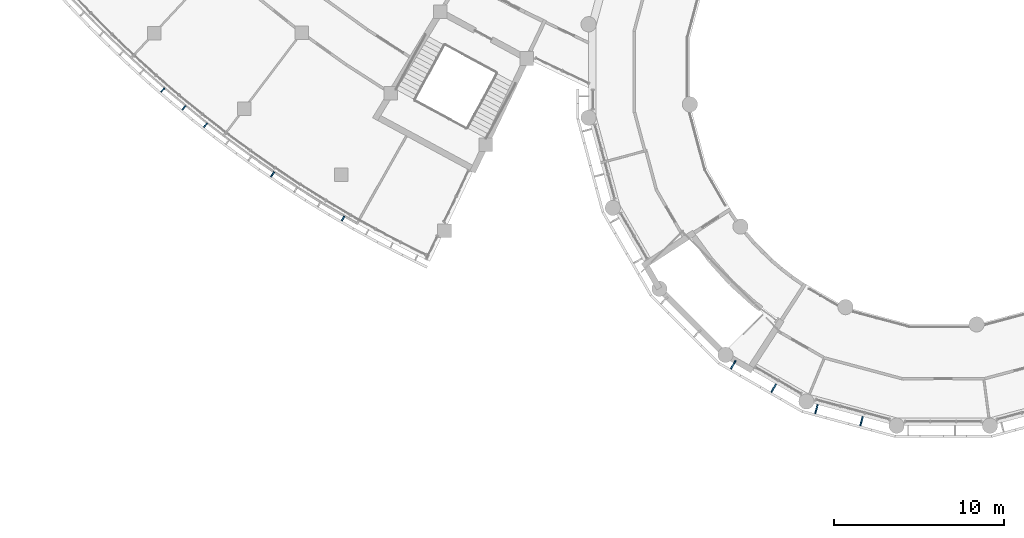
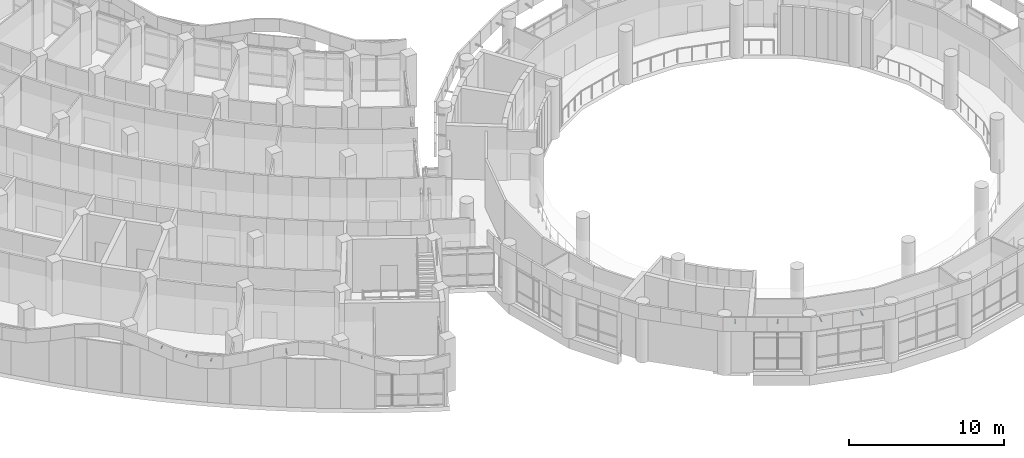
# One storey, part 80 of 109: 9 discrete accessories.
"""IFC4 building model written with IfcOpenShell, lengths in metres."""

from ifc_helpers import new_model, si_unit, direction, frame, origin, origin_2d, place, context, subcontext, project, spatial, rectangle, extrude, material, material_profile, profile_set, type_object, element, save


model = new_model("IFC4")

# Units and contexts
model_context = context("Model", 3, precision=1e-05, world=origin(), true_north=direction((0.0, 1.0)))
body_context = subcontext(model_context, "Body", "Model", "MODEL_VIEW")
ifc_project = project(units=[si_unit("LENGTHUNIT", "METRE"), si_unit("AREAUNIT", "SQUARE_METRE"), si_unit("VOLUMEUNIT", "CUBIC_METRE"), si_unit("PLANEANGLEUNIT", "RADIAN"), si_unit("MASSUNIT", "GRAM", prefix="KILO")], contexts=[model_context])

# Site, building, storey
site_placement = place(None, origin())
site = spatial("IfcSite", under=ifc_project, at=site_placement, CompositionType="ELEMENT")
building_placement = place(site_placement, origin())
building = spatial("IfcBuilding", under=site, at=building_placement, Name="Bougainvillea Quay General Hospital", CompositionType="ELEMENT")
storey_placement = place(building_placement, frame((0.0, 0.0, 12.60009765625)))
storey = spatial("IfcBuildingStorey", under=building, at=storey_placement, Name="L02", CompositionType="ELEMENT", Elevation=12.60009765625)

# Discrete accessories
ifc_material = material(Name="Stainless steel bracket, grade 316", Category="steel")
ifc_material_profile = material_profile(ifc_material, rectangle(XDim=0.080078125, YDim=0.050048828125, at=origin_2d()))
ifc_profile_set = profile_set([ifc_material_profile], Name="Stainless steel bracket, grade 316")
discrete_accessory_type = type_object("IfcDiscreteAccessoryType", Name="Stainless steel stand-off bracket 80x50", PredefinedType="BRACKET", material=ifc_profile_set)
for number, where, z_axis, x_axis, name in (
    (1, (63.4833984375, 72.996826171875, 4.081787109375), (-0.653535108512, -0.756896202885, 0.0), (0.756896202885, -0.653535108512, 0.0), "Fascia bracket a01 24"),
    (2, (64.724609375, 71.951171875, 3.603271484375), (-0.635450544584, -0.77214157082, 0.0), (0.77214157082, -0.635450544584, 0.0), "Fascia bracket a01 25"),
    (3, (65.98974609375, 70.9345703125, 3.467041015625), (-0.617426284951, -0.786628745122, 0.0), (0.786628745122, -0.617426284951, 0.0), "Fascia bracket a01 26"),
):
    element("IfcDiscreteAccessory", number, at=place(storey_placement, frame(where, z_axis=z_axis, x_axis=x_axis)), inside=storey, type_object=discrete_accessory_type, Name=name, PredefinedType="BRACKET", context=body_context, shape_type="SweptSolid", body=[
        extrude(rectangle(XDim=0.080078125, YDim=0.050048828125, at=origin_2d()), origin(), (0.0, 0.0, 1.0), 0.300048828125),
    ])
discrete_accessory_1_placement = place(storey_placement, frame((69.921630859375, 68.064208984375, 4.139892578125), z_axis=(-0.237983886357, -0.350767554239, 0.90571838489), x_axis=(0.827516278761, -0.561441723053, 0.0)))
element("IfcDiscreteAccessory", 4, at=discrete_accessory_1_placement, inside=storey, type_object=discrete_accessory_type, Name="Fascia bracket a01 29", PredefinedType="BRACKET", context=body_context, shape_type="SweptSolid", body=[
    extrude(rectangle(XDim=0.080078125, YDim=0.050048828125, at=origin_2d()), origin(), (0.0, 0.0, 1.0), 0.707763671875),
])
discrete_accessory_2_placement = place(storey_placement, frame((74.043701171875, 65.47412109375, 4.132568359375), z_axis=(-0.502959906984, -0.86430974307, 0.0), x_axis=(0.86430974307, -0.502959906984, 0.0)))
element("IfcDiscreteAccessory", 5, at=discrete_accessory_2_placement, inside=storey, type_object=discrete_accessory_type, Name="Fascia bracket a01 32", PredefinedType="BRACKET", context=body_context, shape_type="SweptSolid", body=[
    extrude(rectangle(XDim=0.080078125, YDim=0.050048828125, at=origin_2d()), origin(), (0.0, 0.0, 1.0), 0.300048828125),
])
discrete_accessory_3_placement = place(storey_placement, frame((97.009521484375, 56.997314453125, 4.139892578125), z_axis=(-0.496909065825, -0.860985424, 0.108560950438), x_axis=(0.866104278045, -0.499863360881, 0.0)))
element("IfcDiscreteAccessory", 6, at=discrete_accessory_3_placement, inside=storey, type_object=discrete_accessory_type, Name="Fascia bracket e0 15", PredefinedType="BRACKET", context=body_context, shape_type="SweptSolid", body=[
    extrude(rectangle(XDim=0.080078125, YDim=0.050048828125, at=origin_2d()), origin(), (0.0, 0.0, 1.0), 0.55322265625),
])
discrete_accessory_4_placement = place(storey_placement, frame((99.383544921875, 55.626953125, 4.139892578125), z_axis=(-0.497241294851, -0.860796598273, 0.108537141556), x_axis=(0.865912065108, -0.500196256984, 0.0)))
element("IfcDiscreteAccessory", 7, at=discrete_accessory_4_placement, inside=storey, type_object=discrete_accessory_type, Name="Fascia bracket e0 17", PredefinedType="BRACKET", context=body_context, shape_type="SweptSolid", body=[
    extrude(rectangle(XDim=0.080078125, YDim=0.050048828125, at=origin_2d()), origin(), (0.0, 0.0, 1.0), 0.553466796875),
])
for number, where, z_axis, x_axis, name in (
    (8, (101.825927734375, 54.421630859375, 4.139892578125), (-0.257265896735, -0.96022399879, 0.108554735157), (0.965932200741, -0.258795254151, 0.0), "Fascia bracket e0 19"),
    (9, (104.473388671875, 53.712158203125, 4.139892578125), (-0.257265896735, -0.96022399879, 0.108554735157), (0.965932200741, -0.258795254151, 0.0), "Fascia bracket e0 21"),
):
    element("IfcDiscreteAccessory", number, at=place(storey_placement, frame(where, z_axis=z_axis, x_axis=x_axis)), inside=storey, type_object=discrete_accessory_type, Name=name, PredefinedType="BRACKET", context=body_context, shape_type="SweptSolid", body=[
        extrude(rectangle(XDim=0.080078125, YDim=0.050048828125, at=origin_2d()), origin(), (0.0, 0.0, 1.0), 0.55322265625),
    ])

save(model, "model.ifc")
